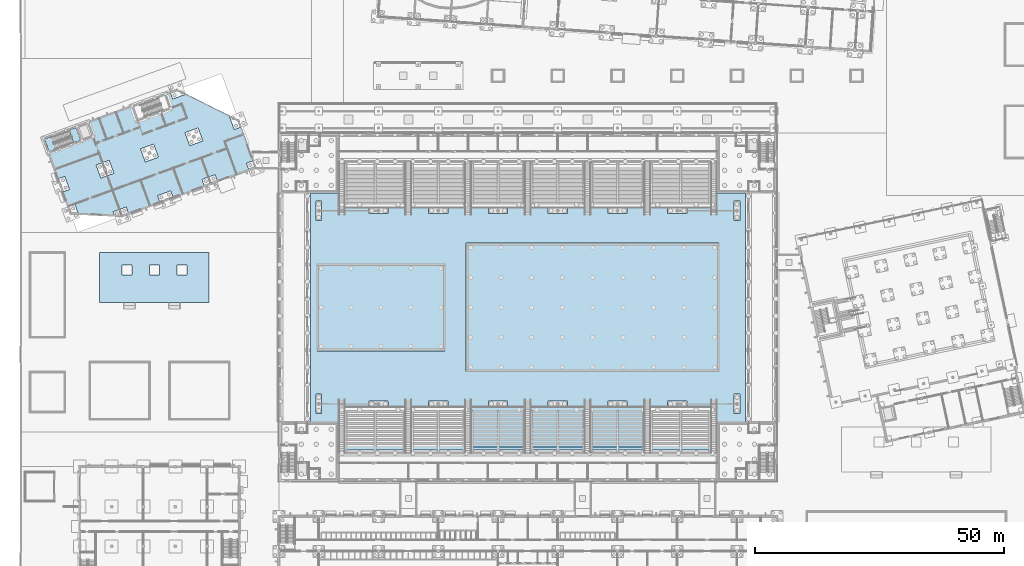
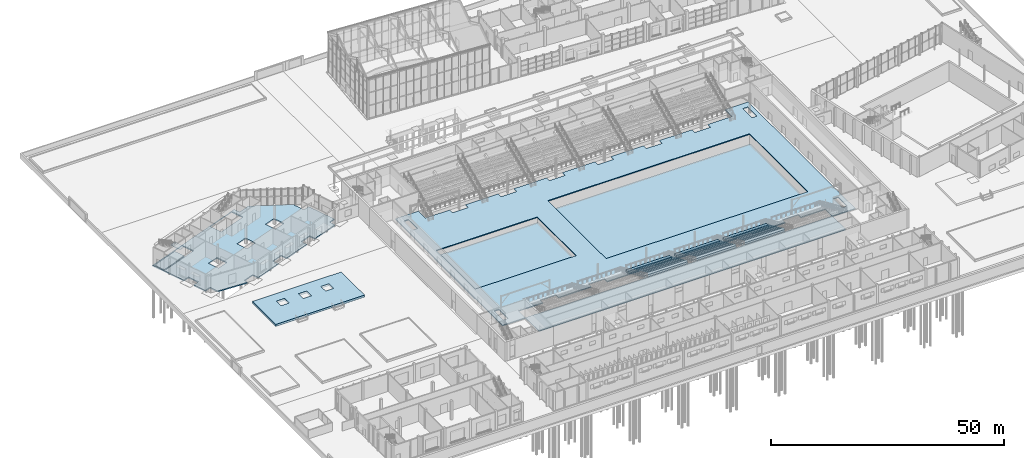
# One storey, part 65 of 157: 38 slabs, 1 element without a shape of its own.
"""IFC4 building model written with IfcOpenShell, lengths in metres."""

import ifcopenshell
import ifcopenshell.guid

model = None  # the IFC model being written
_history = None  # IfcOwnerHistory: only IFC2X3 demands one
_inside = {}  # id of a spatial element -> (the spatial element, [elements in it])
_under = {}  # id of a project, library or spatial element -> (it, [spatial elements below it])
_declared = {}  # id of a project -> (the project, [libraries it declares])
_typed = {}  # id of a type object -> (the type object, [elements of that type])
_made_of = {}  # id of a material, layer set ... -> (it, [elements and type objects made of it])


def new_model(schema):
    """Start an empty IFC model of exactly this schema.

    Asked for "IFC4X3", IfcOpenShell would pick the latest addendum, in which some entities
    have other attributes; the version numbers below select the first issue.
    IFC2X3 requires an IfcOwnerHistory on every rooted entity: one is made here for all.
    """
    global model, _history
    if schema == "IFC4X3":
        model = ifcopenshell.file(schema_version=(4, 3, 0, 0))
    else:
        model = ifcopenshell.file(schema=schema)
    _inside.clear()
    _under.clear()
    _declared.clear()
    _typed.clear()
    _made_of.clear()
    _history = None
    if model.schema == "IFC2X3":
        org = make("IfcOrganization", Name="unknown")
        user = make(
            "IfcPersonAndOrganization",
            ThePerson=make("IfcPerson", FamilyName="unknown"),
            TheOrganization=org,
        )
        app = make(
            "IfcApplication",
            ApplicationDeveloper=org,
            Version="unknown",
            ApplicationFullName="unknown",
            ApplicationIdentifier="unknown",
        )
        _history = make(
            "IfcOwnerHistory",
            OwningUser=user,
            OwningApplication=app,
            ChangeAction="ADDED",
            CreationDate=0,
        )
    return model


def make(cls, **values):
    """One entity of the class cls with the attributes given. An attribute that is None is left unset."""
    return model.create_entity(
        cls, **{name: value for name, value in values.items() if value is not None}
    )


def rooted(cls, **values):
    """An entity with a GlobalId (a new one), such as an element, a storey or a relation."""
    return make(cls, GlobalId=ifcopenshell.guid.new(), OwnerHistory=_history, **values)


def si_unit(unit_type, name, prefix=None):
    """IfcSIUnit, for example si_unit("LENGTHUNIT", "METRE", prefix="MILLI")."""
    return make("IfcSIUnit", UnitType=unit_type, Prefix=prefix, Name=name)


def assignment(units):
    """IfcUnitAssignment: the units of a project."""
    return None if units is None else make("IfcUnitAssignment", Units=units)


def point(xyz):
    """IfcCartesianPoint."""
    return None if xyz is None else make("IfcCartesianPoint", Coordinates=xyz)


def direction(xyz):
    """IfcDirection."""
    return None if xyz is None else make("IfcDirection", DirectionRatios=xyz)


def frame(location, z_axis=None, x_axis=None):
    """IfcAxis2Placement3D, a coordinate frame: its origin and axes. An axis left out is left unset."""
    return make(
        "IfcAxis2Placement3D",
        Location=point(location),
        Axis=direction(z_axis),
        RefDirection=direction(x_axis),
    )


def origin():
    """The frame at (0, 0, 0) with its axes left unset."""
    return frame((0.0, 0.0, 0.0))


def place(relative_to, where):
    """IfcLocalPlacement: puts the frame where relative to a parent placement (None: the world)."""
    return make(
        "IfcLocalPlacement", PlacementRelTo=relative_to, RelativePlacement=where
    )


def context(
    kind, dimensions, precision=None, world=None, true_north=None, identifier=None
):
    """IfcGeometricRepresentationContext, for example the 3D "Model" context."""
    return make(
        "IfcGeometricRepresentationContext",
        ContextIdentifier=identifier,
        ContextType=kind,
        CoordinateSpaceDimension=dimensions,
        Precision=precision,
        WorldCoordinateSystem=world,
        TrueNorth=true_north,
    )


def subcontext(parent, identifier, kind, view, scale=None):
    """IfcGeometricRepresentationSubContext, for example "Body" below "Model"."""
    return make(
        "IfcGeometricRepresentationSubContext",
        ContextIdentifier=identifier,
        ContextType=kind,
        ParentContext=parent,
        TargetScale=scale,
        TargetView=view,
    )


def project(units=None, contexts=None):
    """IfcProject with its units and contexts."""
    return rooted(
        "IfcProject",
        Name="project",
        RepresentationContexts=contexts,
        UnitsInContext=assignment(units),
    )


def spatial(cls, under=None, at=None, **own):
    """A site, building, storey or space (cls), placed at a placement, below another one or the project."""
    s = rooted(cls, ObjectPlacement=at, **own)
    if under is not None:
        _under.setdefault(under.id(), (under, []))[1].append(s)
    return s


def polyline(points):
    """IfcPolyline through the points."""
    return make("IfcPolyline", Points=[point(p) for p in points])


def outline(outer, holes=None, kind="AREA"):
    """IfcArbitraryClosedProfileDef: a profile drawn as a closed curve; with holes, ...WithVoids."""
    if holes is None:
        return make("IfcArbitraryClosedProfileDef", ProfileType=kind, OuterCurve=outer)
    return make(
        "IfcArbitraryProfileDefWithVoids",
        ProfileType=kind,
        OuterCurve=outer,
        InnerCurves=holes,
    )


def extrude(swept, where, along, depth):
    """IfcExtrudedAreaSolid: the profile swept, set in the frame where, extruded along a direction by depth."""
    return make(
        "IfcExtrudedAreaSolid",
        SweptArea=swept,
        Position=where,
        ExtrudedDirection=direction(along),
        Depth=depth,
    )


def shape(context_of_items, identifier, shape_type, items):
    """IfcShapeRepresentation: the items that make up one representation, for example the "Body"."""
    return make(
        "IfcShapeRepresentation",
        ContextOfItems=context_of_items,
        RepresentationIdentifier=identifier,
        RepresentationType=shape_type,
        Items=items,
    )


def material(Name=None, Category=None):
    """IfcMaterial."""
    return make("IfcMaterial", Name=Name, Category=Category)


def layer(
    of_material, thickness, ventilated=None, Name=None, Category=None, Priority=None
):
    """IfcMaterialLayer: one layer of a wall or slab, of a material (None: an air gap)."""
    return make(
        "IfcMaterialLayer",
        Material=of_material,
        LayerThickness=thickness,
        IsVentilated=ventilated,
        Name=Name,
        Category=Category,
        Priority=Priority,
    )


def layer_set(layers, Name=None):
    """IfcMaterialLayerSet."""
    return make("IfcMaterialLayerSet", MaterialLayers=layers, LayerSetName=Name)


def made_of(thing, what):
    """Note that an element or type object is made of a material, layer set ...; save() writes the relation."""
    if what is not None:
        _made_of.setdefault(what.id(), (what, []))[1].append(thing)
    return thing


def type_object(cls, material=None, **own):
    """A type object (cls), such as IfcWallType, which elements share."""
    return made_of(rooted(cls, **own), material)


def element(
    cls,
    number,
    at=None,
    inside=None,
    cuts=None,
    type_object=None,
    material=None,
    context=None,
    identifier="Body",
    shape_type=None,
    held_by="IfcProductDefinitionShape",
    body=None,
    shapes=None,
    **own,
):
    """One element of the class cls, such as IfcWall. Its Tag is "e" and its number.

    at: its placement. inside: the storey or other place that contains it. cuts: it is an
    opening in that element (IfcRelVoidsElement). A single representation is given by context,
    identifier, shape_type and body (its items); several are given by shapes. held_by: the class
    of the entity that holds the representations. save() writes the other relations.
    """
    e = rooted(cls, Tag="e%d" % number, ObjectPlacement=at, **own)
    if body is not None:
        shapes = [shape(context, identifier, shape_type, body)]
    if shapes is not None:
        e.Representation = make(held_by, Representations=shapes)
    if inside is not None:
        _inside.setdefault(inside.id(), (inside, []))[1].append(e)
    if cuts is not None:
        rooted(
            "IfcRelVoidsElement", RelatingBuildingElement=cuts, RelatedOpeningElement=e
        )
    if type_object is not None:
        _typed.setdefault(type_object.id(), (type_object, []))[1].append(e)
    return made_of(e, material)


def aggregate(whole, parts):
    """IfcRelAggregates: a whole, such as a stair, and the parts it consists of."""
    return rooted("IfcRelAggregates", RelatingObject=whole, RelatedObjects=parts)


def save(model, path):
    """Write the relations noted so far, then the file.

    IfcRelAggregates (storeys below a building ...), IfcRelContainedInSpatialStructure (elements
    in a storey), IfcRelDefinesByType, IfcRelAssociatesMaterial and IfcRelDeclares: one each for
    every whole, place, type object, material and project.
    """
    for whole, parts in _under.values():
        aggregate(whole, parts)
    for where, things in _inside.values():
        rooted(
            "IfcRelContainedInSpatialStructure",
            RelatedElements=things,
            RelatingStructure=where,
        )
    for kind, things in _typed.values():
        rooted("IfcRelDefinesByType", RelatedObjects=things, RelatingType=kind)
    for what, things in _made_of.values():
        rooted("IfcRelAssociatesMaterial", RelatedObjects=things, RelatingMaterial=what)
    for by, libraries in _declared.values():
        rooted("IfcRelDeclares", RelatingContext=by, RelatedDefinitions=libraries)
    model.write(path)


model = new_model("IFC4")

# Units and contexts
model_context = context("Model", 3, precision=1e-05, world=origin(), true_north=direction((0.0, 1.0)))
body_context = subcontext(model_context, "Body", "Model", "MODEL_VIEW")
ifc_project = project(units=[si_unit("LENGTHUNIT", "METRE"), si_unit("AREAUNIT", "SQUARE_METRE"), si_unit("VOLUMEUNIT", "CUBIC_METRE"), si_unit("PLANEANGLEUNIT", "RADIAN"), si_unit("MASSUNIT", "GRAM", prefix="KILO")], contexts=[model_context])

# Site, building, storey
site_placement = place(None, origin())
site = spatial("IfcSite", under=ifc_project, at=site_placement, CompositionType="ELEMENT")
building_placement = place(site_placement, origin())
building = spatial("IfcBuilding", under=site, at=building_placement, Name="Windward Yard Aquatics Centre", CompositionType="ELEMENT")
storey_placement = place(building_placement, origin())
storey = spatial("IfcBuildingStorey", under=building, at=storey_placement, Name="L00", CompositionType="ELEMENT", Elevation=0.0)

# Slabs
ifc_material_1 = material(Name="Concrete C40/50", Category="concrete")
ifc_layer_1 = layer(ifc_material_1, 0.300048828125)
ifc_layer_set_1 = layer_set([ifc_layer_1], Name="F ground slab 300 Concrete C40/50")
slab_type_1 = type_object("IfcSlabType", Name="F ground slab 300 Concrete C40/50", PredefinedType="BASESLAB", material=ifc_layer_set_1)
slab_1_placement = place(storey_placement, frame((0.0, 0.0, -0.300048828125)))
element("IfcSlab", 1, at=slab_1_placement, inside=storey, type_object=slab_type_1, Name="F.SL.GS", PredefinedType="BASESLAB", context=body_context, shape_type="SweptSolid", body=[
    extrude(outline(polyline([(4.533447265625, 94.98828125), (7.526123046875, 86.765869140625), (8.982666015625, 87.2958984375), (9.940185546875, 84.664794921875), (8.483642578125, 84.134765625), (9.578125, 81.127685546875), (11.03466796875, 81.657958984375), (11.770751953125, 79.635498046875), (19.031494140625, 79.27587890625), (18.69873046875, 80.190673828125), (21.329833984375, 81.148193359375), (21.860107421875, 79.69189453125), (28.156005859375, 81.9833984375), (27.625732421875, 83.439697265625), (30.2568359375, 84.3974609375), (30.787109375, 82.94091796875), (37.0830078125, 85.232421875), (36.552978515625, 86.68896484375), (39.18408203125, 87.646728515625), (39.714111328125, 86.190185546875), (46.010009765625, 88.481689453125), (45.47998046875, 89.938232421875), (46.9365234375, 90.46826171875), (44.473876953125, 97.234130859375), (43.017333984375, 96.7041015625), (42.059814453125, 99.335205078125), (42.320068359375, 99.4296875), (33.251953125, 103.94482421875), (33.30126953125, 103.809326171875), (30.670166015625, 102.851806640625), (30.139892578125, 104.30810546875), (4.533447265625, 94.98828125)]), holes=[polyline([(15.278564453125, 89.587646484375), (17.90966796875, 90.545166015625), (18.8671875, 87.9140625), (16.236083984375, 86.956298828125), (15.278564453125, 89.587646484375)]), polyline([(24.20556640625, 92.836669921875), (26.836669921875, 93.79443359375), (27.79443359375, 91.163330078125), (25.163330078125, 90.20556640625), (24.20556640625, 92.836669921875)]), polyline([(33.1328125, 96.0859375), (35.763916015625, 97.043701171875), (36.721435546875, 94.412353515625), (34.09033203125, 93.454833984375), (33.1328125, 96.0859375)]), polyline([(22.419677734375, 101.4716796875), (29.232421875, 103.951416015625), (30.343994140625, 100.897216796875), (23.531005859375, 98.41748046875), (22.419677734375, 101.4716796875)]), polyline([(4.5654296875, 94.973388671875), (13.727294921875, 98.307861328125), (14.839111328125, 95.25390625), (5.677001953125, 91.919189453125), (4.5654296875, 94.973388671875)])]), origin(), (0.0, 0.0, 1.0), 0.300048828125),
])
slab_2_placement = place(storey_placement, frame((0.0, 0.0, -0.300048828125)))
element("IfcSlab", 2, at=slab_2_placement, inside=storey, type_object=slab_type_1, Name="F.SL.GS.S1", PredefinedType="BASESLAB", context=body_context, shape_type="SweptSolid", body=[
    extrude(outline(polyline([(4.91796875, 94.808837890625), (5.849853515625, 92.248291015625), (12.169189453125, 94.54833984375), (11.2373046875, 97.10888671875), (4.91796875, 94.808837890625)])), origin(), (0.0, 0.0, 1.0), 0.300048828125),
])

# Stair, slab
stair_type = type_object("IfcStairType", Name="F stair 1200 half-turn Concrete C40/50", PredefinedType="HALF_TURN_STAIR", material=ifc_material_1)
stair_placement = place(storey_placement, origin())
stair = element("IfcStair", 3, at=stair_placement, inside=storey, type_object=stair_type, Name="F.ST.L00.S1", PredefinedType="HALF_TURN_STAIR")
ifc_layer_2 = layer(ifc_material_1, 0.199951171875)
ifc_layer_set_2 = layer_set([ifc_layer_2], Name="F stair landing 200 Concrete C40/50")
slab_type_2 = type_object("IfcSlabType", Name="F stair landing 200 Concrete C40/50", PredefinedType="LANDING", material=ifc_layer_set_2)
slab_3_placement = place(storey_placement, frame((0.0, 0.0, 2.300048828125)))
slab_3 = element("IfcSlab", 4, at=slab_3_placement, type_object=slab_type_2, Name="FS1 landing 1", PredefinedType="LANDING", context=body_context, shape_type="SweptSolid", body=[
    extrude(outline(polyline([(9.87939453125, 96.61474609375), (10.8115234375, 94.05419921875), (12.169189453125, 94.54833984375), (11.2373046875, 97.10888671875), (9.87939453125, 96.61474609375)])), origin(), (0.0, 0.0, 1.0), 0.199951171875),
])
aggregate(stair, [slab_3])

# Slabs
ifc_material_2 = material(Name="Concrete C35/45", Category="concrete")
ifc_layer_3 = layer(ifc_material_2, 0.25)
ifc_layer_set_3 = layer_set([ifc_layer_3], Name="H ground slab 250 C35/45")
slab_type_3 = type_object("IfcSlabType", Name="H ground slab 250 C35/45", PredefinedType="BASESLAB", material=ifc_layer_set_3)
slab_4_placement = place(storey_placement, frame((0.0, 0.0, -0.25)))
element("IfcSlab", 5, at=slab_4_placement, inside=storey, type_object=slab_type_3, Name="H.GS.02", PredefinedType="BASESLAB", context=body_context, shape_type="SweptSolid", body=[
    extrude(outline(polyline([(64.0, 32.3095703125), (64.0, 38.0), (140.0, 38.0), (140.0, 32.3095703125), (64.0, 32.3095703125)])), origin(), (0.0, 0.0, 1.0), 0.25),
])
slab_5_placement = place(storey_placement, frame((0.0, 0.0, -0.25)))
element("IfcSlab", 6, at=slab_5_placement, inside=storey, type_object=slab_type_3, Name="H.GS.04", PredefinedType="BASESLAB", context=body_context, shape_type="SweptSolid", body=[
    extrude(outline(polyline([(58.3095703125, 38.0), (58.3095703125, 84.0), (64.0, 84.0), (64.0, 81.0), (70.050048828125, 81.0), (70.050048828125, 79.800048828125), (73.949951171875, 79.800048828125), (73.949951171875, 81.0), (82.050048828125, 81.0), (82.050048828125, 79.800048828125), (85.949951171875, 79.800048828125), (85.949951171875, 81.0), (94.050048828125, 81.0), (94.050048828125, 79.800048828125), (97.949951171875, 79.800048828125), (97.949951171875, 81.0), (106.050048828125, 81.0), (106.050048828125, 79.800048828125), (109.949951171875, 79.800048828125), (109.949951171875, 81.0), (118.050048828125, 81.0), (118.050048828125, 79.800048828125), (121.949951171875, 79.800048828125), (121.949951171875, 81.0), (130.050048828125, 81.0), (130.050048828125, 79.800048828125), (133.949951171875, 79.800048828125), (133.949951171875, 81.0), (140.0, 81.0), (140.0, 84.0), (145.6904296875, 84.0), (145.6904296875, 38.0), (140.0, 38.0), (140.0, 41.0), (133.949951171875, 41.0), (133.949951171875, 42.199951171875), (130.050048828125, 42.199951171875), (130.050048828125, 41.0), (121.949951171875, 41.0), (121.949951171875, 42.199951171875), (118.050048828125, 42.199951171875), (118.050048828125, 41.0), (109.949951171875, 41.0), (109.949951171875, 42.199951171875), (106.050048828125, 42.199951171875), (106.050048828125, 41.0), (97.949951171875, 41.0), (97.949951171875, 42.199951171875), (94.050048828125, 42.199951171875), (94.050048828125, 41.0), (85.949951171875, 41.0), (85.949951171875, 42.199951171875), (82.050048828125, 42.199951171875), (82.050048828125, 41.0), (73.949951171875, 41.0), (73.949951171875, 42.199951171875), (70.050048828125, 42.199951171875), (70.050048828125, 41.0), (64.0, 41.0), (64.0, 38.0), (58.3095703125, 38.0)]), holes=[polyline([(59.39990234375, 39.64990234375), (60.60009765625, 39.64990234375), (60.60009765625, 43.550048828125), (59.39990234375, 43.550048828125), (59.39990234375, 39.64990234375)]), polyline([(60.0, 52.64990234375), (85.0, 52.64990234375), (85.0, 69.35009765625), (60.0, 69.35009765625), (60.0, 52.64990234375)]), polyline([(59.39990234375, 78.449951171875), (60.60009765625, 78.449951171875), (60.60009765625, 82.35009765625), (59.39990234375, 82.35009765625), (59.39990234375, 78.449951171875)]), polyline([(143.39990234375, 39.64990234375), (144.60009765625, 39.64990234375), (144.60009765625, 43.550048828125), (143.39990234375, 43.550048828125), (143.39990234375, 39.64990234375)]), polyline([(90.0, 48.5), (140.0, 48.5), (140.0, 73.5), (90.0, 73.5), (90.0, 48.5)]), polyline([(143.39990234375, 78.449951171875), (144.60009765625, 78.449951171875), (144.60009765625, 82.35009765625), (143.39990234375, 82.35009765625), (143.39990234375, 78.449951171875)])]), origin(), (0.0, 0.0, 1.0), 0.25),
])
ifc_layer_4 = layer(ifc_material_2, 0.5400390625)
ifc_layer_set_4 = layer_set([ifc_layer_4], Name="H seating unit 540 C35/45")
slab_type_4 = type_object("IfcSlabType", Name="H seating unit 540 C35/45", PredefinedType="USERDEFINED", material=ifc_layer_set_4)
slab_6_placement = place(storey_placement, frame((0.0, 0.0, 0.860107421875)))
element("IfcSlab", 7, at=slab_6_placement, inside=storey, type_object=slab_type_4, Name="H.ST.S.3.R01", ObjectType="SEATING UNIT", PredefinedType="USERDEFINED", context=body_context, shape_type="SweptSolid", body=[
    extrude(outline(polyline([(90.625, 40.199951171875), (101.375, 40.199951171875), (101.375, 41.0), (90.625, 41.0), (90.625, 40.199951171875)])), origin(), (0.0, 0.0, 1.0), 0.539794921875),
])
slab_7_placement = place(storey_placement, frame((0.0, 0.0, 1.219970703125)))
element("IfcSlab", 8, at=slab_7_placement, inside=storey, type_object=slab_type_4, Name="H.ST.S.3.R02", ObjectType="SEATING UNIT", PredefinedType="USERDEFINED", context=body_context, shape_type="SweptSolid", body=[
    extrude(outline(polyline([(90.625, 39.39990234375), (101.375, 39.39990234375), (101.375, 40.199951171875), (90.625, 40.199951171875), (90.625, 39.39990234375)])), origin(), (0.0, 0.0, 1.0), 0.5400390625),
])
slab_8_placement = place(storey_placement, frame((0.0, 0.0, 1.580078125)))
element("IfcSlab", 9, at=slab_8_placement, inside=storey, type_object=slab_type_4, Name="H.ST.S.3.R03", ObjectType="SEATING UNIT", PredefinedType="USERDEFINED", context=body_context, shape_type="SweptSolid", body=[
    extrude(outline(polyline([(90.625, 38.60009765625), (101.375, 38.60009765625), (101.375, 39.39990234375), (90.625, 39.39990234375), (90.625, 38.60009765625)])), origin(), (0.0, 0.0, 1.0), 0.5400390625),
])
slab_9_placement = place(storey_placement, frame((0.0, 0.0, 1.93994140625)))
element("IfcSlab", 10, at=slab_9_placement, inside=storey, type_object=slab_type_4, Name="H.ST.S.3.R04", ObjectType="SEATING UNIT", PredefinedType="USERDEFINED", context=body_context, shape_type="SweptSolid", body=[
    extrude(outline(polyline([(90.625, 37.800048828125), (101.375, 37.800048828125), (101.375, 38.60009765625), (90.625, 38.60009765625), (90.625, 37.800048828125)])), origin(), (0.0, 0.0, 1.0), 0.5400390625),
])
slab_10_placement = place(storey_placement, frame((0.0, 0.0, 2.300048828125)))
element("IfcSlab", 11, at=slab_10_placement, inside=storey, type_object=slab_type_4, Name="H.ST.S.3.R05", ObjectType="SEATING UNIT", PredefinedType="USERDEFINED", context=body_context, shape_type="SweptSolid", body=[
    extrude(outline(polyline([(90.625, 37.0), (101.375, 37.0), (101.375, 37.800048828125), (90.625, 37.800048828125), (90.625, 37.0)])), origin(), (0.0, 0.0, 1.0), 0.5400390625),
])
slab_11_placement = place(storey_placement, frame((0.0, 0.0, 2.659912109375)))
element("IfcSlab", 12, at=slab_11_placement, inside=storey, type_object=slab_type_4, Name="H.ST.S.3.R06", ObjectType="SEATING UNIT", PredefinedType="USERDEFINED", context=body_context, shape_type="SweptSolid", body=[
    extrude(outline(polyline([(90.625, 36.199951171875), (101.375, 36.199951171875), (101.375, 37.0), (90.625, 37.0), (90.625, 36.199951171875)])), origin(), (0.0, 0.0, 1.0), 0.5400390625),
])
slab_12_placement = place(storey_placement, frame((0.0, 0.0, 3.02001953125)))
element("IfcSlab", 13, at=slab_12_placement, inside=storey, type_object=slab_type_4, Name="H.ST.S.3.R07", ObjectType="SEATING UNIT", PredefinedType="USERDEFINED", context=body_context, shape_type="SweptSolid", body=[
    extrude(outline(polyline([(90.625, 35.39990234375), (101.375, 35.39990234375), (101.375, 36.199951171875), (90.625, 36.199951171875), (90.625, 35.39990234375)])), origin(), (0.0, 0.0, 1.0), 0.5400390625),
])
slab_13_placement = place(storey_placement, frame((0.0, 0.0, 3.3798828125)))
element("IfcSlab", 14, at=slab_13_placement, inside=storey, type_object=slab_type_4, Name="H.ST.S.3.R08", ObjectType="SEATING UNIT", PredefinedType="USERDEFINED", context=body_context, shape_type="SweptSolid", body=[
    extrude(outline(polyline([(90.625, 34.60009765625), (101.375, 34.60009765625), (101.375, 35.39990234375), (90.625, 35.39990234375), (90.625, 34.60009765625)])), origin(), (0.0, 0.0, 1.0), 0.5400390625),
])
slab_14_placement = place(storey_placement, frame((0.0, 0.0, 3.739990234375)))
element("IfcSlab", 15, at=slab_14_placement, inside=storey, type_object=slab_type_4, Name="H.ST.S.3.R09", ObjectType="SEATING UNIT", PredefinedType="USERDEFINED", context=body_context, shape_type="SweptSolid", body=[
    extrude(outline(polyline([(90.625, 33.800048828125), (101.375, 33.800048828125), (101.375, 34.60009765625), (90.625, 34.60009765625), (90.625, 33.800048828125)])), origin(), (0.0, 0.0, 1.0), 0.5400390625),
])
slab_15_placement = place(storey_placement, frame((0.0, 0.0, 4.10009765625)))
element("IfcSlab", 16, at=slab_15_placement, inside=storey, type_object=slab_type_4, Name="H.ST.S.3.R10", ObjectType="SEATING UNIT", PredefinedType="USERDEFINED", context=body_context, shape_type="SweptSolid", body=[
    extrude(outline(polyline([(90.625, 33.0), (101.375, 33.0), (101.375, 33.800048828125), (90.625, 33.800048828125), (90.625, 33.0)])), origin(), (0.0, 0.0, 1.0), 0.539794921875),
])
slab_16_placement = place(storey_placement, frame((0.0, 0.0, 0.860107421875)))
element("IfcSlab", 17, at=slab_16_placement, inside=storey, type_object=slab_type_4, Name="H.ST.S.4.R01", ObjectType="SEATING UNIT", PredefinedType="USERDEFINED", context=body_context, shape_type="SweptSolid", body=[
    extrude(outline(polyline([(102.625, 40.199951171875), (113.375, 40.199951171875), (113.375, 41.0), (102.625, 41.0), (102.625, 40.199951171875)])), origin(), (0.0, 0.0, 1.0), 0.539794921875),
])
slab_17_placement = place(storey_placement, frame((0.0, 0.0, 1.219970703125)))
element("IfcSlab", 18, at=slab_17_placement, inside=storey, type_object=slab_type_4, Name="H.ST.S.4.R02", ObjectType="SEATING UNIT", PredefinedType="USERDEFINED", context=body_context, shape_type="SweptSolid", body=[
    extrude(outline(polyline([(102.625, 39.39990234375), (113.375, 39.39990234375), (113.375, 40.199951171875), (102.625, 40.199951171875), (102.625, 39.39990234375)])), origin(), (0.0, 0.0, 1.0), 0.5400390625),
])
slab_18_placement = place(storey_placement, frame((0.0, 0.0, 1.580078125)))
element("IfcSlab", 19, at=slab_18_placement, inside=storey, type_object=slab_type_4, Name="H.ST.S.4.R03", ObjectType="SEATING UNIT", PredefinedType="USERDEFINED", context=body_context, shape_type="SweptSolid", body=[
    extrude(outline(polyline([(102.625, 38.60009765625), (113.375, 38.60009765625), (113.375, 39.39990234375), (102.625, 39.39990234375), (102.625, 38.60009765625)])), origin(), (0.0, 0.0, 1.0), 0.5400390625),
])
slab_19_placement = place(storey_placement, frame((0.0, 0.0, 1.93994140625)))
element("IfcSlab", 20, at=slab_19_placement, inside=storey, type_object=slab_type_4, Name="H.ST.S.4.R04", ObjectType="SEATING UNIT", PredefinedType="USERDEFINED", context=body_context, shape_type="SweptSolid", body=[
    extrude(outline(polyline([(102.625, 37.800048828125), (113.375, 37.800048828125), (113.375, 38.60009765625), (102.625, 38.60009765625), (102.625, 37.800048828125)])), origin(), (0.0, 0.0, 1.0), 0.5400390625),
])
slab_20_placement = place(storey_placement, frame((0.0, 0.0, 2.300048828125)))
element("IfcSlab", 21, at=slab_20_placement, inside=storey, type_object=slab_type_4, Name="H.ST.S.4.R05", ObjectType="SEATING UNIT", PredefinedType="USERDEFINED", context=body_context, shape_type="SweptSolid", body=[
    extrude(outline(polyline([(102.625, 37.0), (113.375, 37.0), (113.375, 37.800048828125), (102.625, 37.800048828125), (102.625, 37.0)])), origin(), (0.0, 0.0, 1.0), 0.5400390625),
])
slab_21_placement = place(storey_placement, frame((0.0, 0.0, 2.659912109375)))
element("IfcSlab", 22, at=slab_21_placement, inside=storey, type_object=slab_type_4, Name="H.ST.S.4.R06", ObjectType="SEATING UNIT", PredefinedType="USERDEFINED", context=body_context, shape_type="SweptSolid", body=[
    extrude(outline(polyline([(102.625, 36.199951171875), (113.375, 36.199951171875), (113.375, 37.0), (102.625, 37.0), (102.625, 36.199951171875)])), origin(), (0.0, 0.0, 1.0), 0.5400390625),
])
slab_22_placement = place(storey_placement, frame((0.0, 0.0, 3.02001953125)))
element("IfcSlab", 23, at=slab_22_placement, inside=storey, type_object=slab_type_4, Name="H.ST.S.4.R07", ObjectType="SEATING UNIT", PredefinedType="USERDEFINED", context=body_context, shape_type="SweptSolid", body=[
    extrude(outline(polyline([(102.625, 35.39990234375), (113.375, 35.39990234375), (113.375, 36.199951171875), (102.625, 36.199951171875), (102.625, 35.39990234375)])), origin(), (0.0, 0.0, 1.0), 0.5400390625),
])
slab_23_placement = place(storey_placement, frame((0.0, 0.0, 3.3798828125)))
element("IfcSlab", 24, at=slab_23_placement, inside=storey, type_object=slab_type_4, Name="H.ST.S.4.R08", ObjectType="SEATING UNIT", PredefinedType="USERDEFINED", context=body_context, shape_type="SweptSolid", body=[
    extrude(outline(polyline([(102.625, 34.60009765625), (113.375, 34.60009765625), (113.375, 35.39990234375), (102.625, 35.39990234375), (102.625, 34.60009765625)])), origin(), (0.0, 0.0, 1.0), 0.5400390625),
])
slab_24_placement = place(storey_placement, frame((0.0, 0.0, 3.739990234375)))
element("IfcSlab", 25, at=slab_24_placement, inside=storey, type_object=slab_type_4, Name="H.ST.S.4.R09", ObjectType="SEATING UNIT", PredefinedType="USERDEFINED", context=body_context, shape_type="SweptSolid", body=[
    extrude(outline(polyline([(102.625, 33.800048828125), (113.375, 33.800048828125), (113.375, 34.60009765625), (102.625, 34.60009765625), (102.625, 33.800048828125)])), origin(), (0.0, 0.0, 1.0), 0.5400390625),
])
slab_25_placement = place(storey_placement, frame((0.0, 0.0, 4.10009765625)))
element("IfcSlab", 26, at=slab_25_placement, inside=storey, type_object=slab_type_4, Name="H.ST.S.4.R10", ObjectType="SEATING UNIT", PredefinedType="USERDEFINED", context=body_context, shape_type="SweptSolid", body=[
    extrude(outline(polyline([(102.625, 33.0), (113.375, 33.0), (113.375, 33.800048828125), (102.625, 33.800048828125), (102.625, 33.0)])), origin(), (0.0, 0.0, 1.0), 0.539794921875),
])
slab_26_placement = place(storey_placement, frame((0.0, 0.0, 0.860107421875)))
element("IfcSlab", 27, at=slab_26_placement, inside=storey, type_object=slab_type_4, Name="H.ST.S.5.R01", ObjectType="SEATING UNIT", PredefinedType="USERDEFINED", context=body_context, shape_type="SweptSolid", body=[
    extrude(outline(polyline([(114.625, 40.199951171875), (125.375, 40.199951171875), (125.375, 41.0), (114.625, 41.0), (114.625, 40.199951171875)])), origin(), (0.0, 0.0, 1.0), 0.539794921875),
])
slab_27_placement = place(storey_placement, frame((0.0, 0.0, 1.219970703125)))
element("IfcSlab", 28, at=slab_27_placement, inside=storey, type_object=slab_type_4, Name="H.ST.S.5.R02", ObjectType="SEATING UNIT", PredefinedType="USERDEFINED", context=body_context, shape_type="SweptSolid", body=[
    extrude(outline(polyline([(114.625, 39.39990234375), (125.375, 39.39990234375), (125.375, 40.199951171875), (114.625, 40.199951171875), (114.625, 39.39990234375)])), origin(), (0.0, 0.0, 1.0), 0.5400390625),
])
slab_28_placement = place(storey_placement, frame((0.0, 0.0, 1.580078125)))
element("IfcSlab", 29, at=slab_28_placement, inside=storey, type_object=slab_type_4, Name="H.ST.S.5.R03", ObjectType="SEATING UNIT", PredefinedType="USERDEFINED", context=body_context, shape_type="SweptSolid", body=[
    extrude(outline(polyline([(114.625, 38.60009765625), (125.375, 38.60009765625), (125.375, 39.39990234375), (114.625, 39.39990234375), (114.625, 38.60009765625)])), origin(), (0.0, 0.0, 1.0), 0.5400390625),
])
slab_29_placement = place(storey_placement, frame((0.0, 0.0, 1.93994140625)))
element("IfcSlab", 30, at=slab_29_placement, inside=storey, type_object=slab_type_4, Name="H.ST.S.5.R04", ObjectType="SEATING UNIT", PredefinedType="USERDEFINED", context=body_context, shape_type="SweptSolid", body=[
    extrude(outline(polyline([(114.625, 37.800048828125), (125.375, 37.800048828125), (125.375, 38.60009765625), (114.625, 38.60009765625), (114.625, 37.800048828125)])), origin(), (0.0, 0.0, 1.0), 0.5400390625),
])
slab_30_placement = place(storey_placement, frame((0.0, 0.0, 2.300048828125)))
element("IfcSlab", 31, at=slab_30_placement, inside=storey, type_object=slab_type_4, Name="H.ST.S.5.R05", ObjectType="SEATING UNIT", PredefinedType="USERDEFINED", context=body_context, shape_type="SweptSolid", body=[
    extrude(outline(polyline([(114.625, 37.0), (125.375, 37.0), (125.375, 37.800048828125), (114.625, 37.800048828125), (114.625, 37.0)])), origin(), (0.0, 0.0, 1.0), 0.5400390625),
])
slab_31_placement = place(storey_placement, frame((0.0, 0.0, 2.659912109375)))
element("IfcSlab", 32, at=slab_31_placement, inside=storey, type_object=slab_type_4, Name="H.ST.S.5.R06", ObjectType="SEATING UNIT", PredefinedType="USERDEFINED", context=body_context, shape_type="SweptSolid", body=[
    extrude(outline(polyline([(114.625, 36.199951171875), (125.375, 36.199951171875), (125.375, 37.0), (114.625, 37.0), (114.625, 36.199951171875)])), origin(), (0.0, 0.0, 1.0), 0.5400390625),
])
slab_32_placement = place(storey_placement, frame((0.0, 0.0, 3.02001953125)))
element("IfcSlab", 33, at=slab_32_placement, inside=storey, type_object=slab_type_4, Name="H.ST.S.5.R07", ObjectType="SEATING UNIT", PredefinedType="USERDEFINED", context=body_context, shape_type="SweptSolid", body=[
    extrude(outline(polyline([(114.625, 35.39990234375), (125.375, 35.39990234375), (125.375, 36.199951171875), (114.625, 36.199951171875), (114.625, 35.39990234375)])), origin(), (0.0, 0.0, 1.0), 0.5400390625),
])
slab_33_placement = place(storey_placement, frame((0.0, 0.0, 3.3798828125)))
element("IfcSlab", 34, at=slab_33_placement, inside=storey, type_object=slab_type_4, Name="H.ST.S.5.R08", ObjectType="SEATING UNIT", PredefinedType="USERDEFINED", context=body_context, shape_type="SweptSolid", body=[
    extrude(outline(polyline([(114.625, 34.60009765625), (125.375, 34.60009765625), (125.375, 35.39990234375), (114.625, 35.39990234375), (114.625, 34.60009765625)])), origin(), (0.0, 0.0, 1.0), 0.5400390625),
])
slab_34_placement = place(storey_placement, frame((0.0, 0.0, 3.739990234375)))
element("IfcSlab", 35, at=slab_34_placement, inside=storey, type_object=slab_type_4, Name="H.ST.S.5.R09", ObjectType="SEATING UNIT", PredefinedType="USERDEFINED", context=body_context, shape_type="SweptSolid", body=[
    extrude(outline(polyline([(114.625, 33.800048828125), (125.375, 33.800048828125), (125.375, 34.60009765625), (114.625, 34.60009765625), (114.625, 33.800048828125)])), origin(), (0.0, 0.0, 1.0), 0.5400390625),
])
slab_35_placement = place(storey_placement, frame((0.0, 0.0, 4.10009765625)))
element("IfcSlab", 36, at=slab_35_placement, inside=storey, type_object=slab_type_4, Name="H.ST.S.5.R10", ObjectType="SEATING UNIT", PredefinedType="USERDEFINED", context=body_context, shape_type="SweptSolid", body=[
    extrude(outline(polyline([(114.625, 33.0), (125.375, 33.0), (125.375, 33.800048828125), (114.625, 33.800048828125), (114.625, 33.0)])), origin(), (0.0, 0.0, 1.0), 0.539794921875),
])
ifc_material_3 = material(Name="Ceramic tile in waterproof adhesive")
ifc_layer_5 = layer(ifc_material_3, 0.02, Name="Tile lining")
ifc_material_4 = material(Name="Cementitious waterproofing membrane")
ifc_layer_6 = layer(ifc_material_4, 0.005, Name="Waterproofing")
ifc_layer_7 = layer(ifc_material_1, 0.475, Name="Structure")
ifc_layer_set_5 = layer_set([ifc_layer_5, ifc_layer_6, ifc_layer_7], Name="H tank base slab 500 C40/50")
slab_type_5 = type_object("IfcSlabType", Name="H tank base slab 500 C40/50", PredefinedType="BASESLAB", material=ifc_layer_set_5)
slab_36_placement = place(storey_placement, frame((0.0, 0.0, -3.5)))
element("IfcSlab", 37, at=slab_36_placement, inside=storey, type_object=slab_type_5, Name="H.TK.C.BASE", PredefinedType="BASESLAB", context=body_context, shape_type="SweptSolid", body=[
    extrude(outline(polyline([(89.60009765625, 48.10009765625), (140.39990234375, 48.10009765625), (140.39990234375, 73.89990234375), (89.60009765625, 73.89990234375), (89.60009765625, 48.10009765625)])), origin(), (0.0, 0.0, 1.0), 0.5),
])
slab_37_placement = place(storey_placement, frame((0.0, 0.0, -2.300048828125)))
element("IfcSlab", 38, at=slab_37_placement, inside=storey, type_object=slab_type_5, Name="H.TK.T.BASE", PredefinedType="BASESLAB", context=body_context, shape_type="SweptSolid", body=[
    extrude(outline(polyline([(59.60009765625, 52.25), (85.39990234375, 52.25), (85.39990234375, 69.75), (59.60009765625, 69.75), (59.60009765625, 52.25)])), origin(), (0.0, 0.0, 1.0), 0.5),
])
ifc_material_5 = material(Name="Concrete C30/37", Category="concrete")
ifc_layer_8 = layer(ifc_material_5, 0.550048828125)
ifc_layer_set_6 = layer_set([ifc_layer_8], Name="X Terrace Platform Slab Concrete C30/37 550")
slab_type_6 = type_object("IfcSlabType", Name="X Terrace Platform Slab Concrete C30/37 550", PredefinedType="FLOOR", material=ifc_layer_set_6)
slab_38_placement = place(storey_placement, frame((0.0, 0.0, -0.10009765625)))
element("IfcSlab", 39, at=slab_38_placement, inside=storey, type_object=slab_type_6, Name="Learner terrace", PredefinedType="FLOOR", context=body_context, shape_type="SweptSolid", body=[
    extrude(outline(polyline([(16.0, 62.0), (38.0, 62.0), (38.0, 72.0), (16.0, 72.0), (16.0, 62.0)]), holes=[polyline([(20.5, 67.5), (22.5, 67.5), (22.5, 69.5), (20.5, 69.5), (20.5, 67.5)]), polyline([(26.0, 67.5), (28.0, 67.5), (28.0, 69.5), (26.0, 69.5), (26.0, 67.5)]), polyline([(31.5, 67.5), (33.5, 67.5), (33.5, 69.5), (31.5, 69.5), (31.5, 67.5)])]), origin(), (0.0, 0.0, 1.0), 0.550048828125),
])

save(model, "model.ifc")
